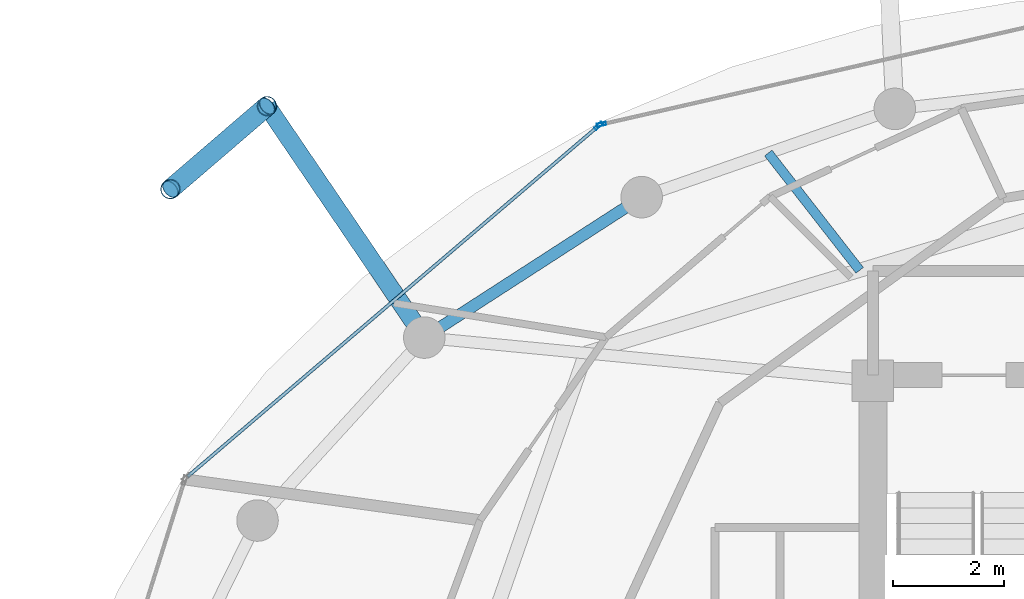
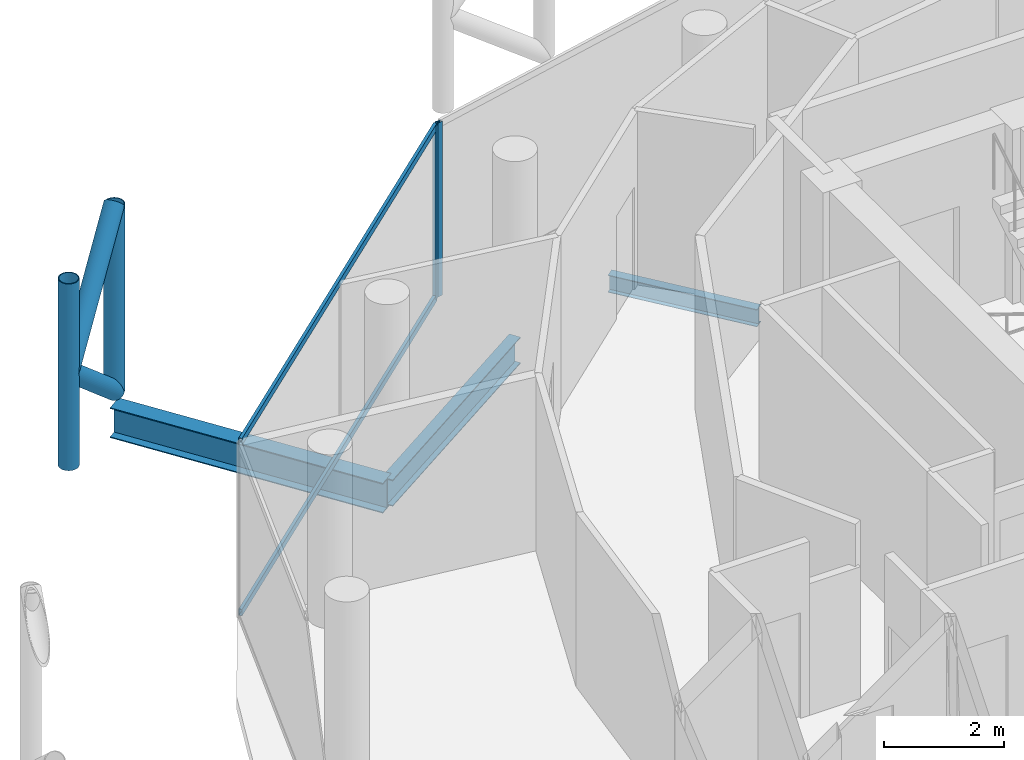
# One storey, part 15 of 24: 8 members, 3 beams, 2 elements without a shape of their own.
"""IFC4 building model written with IfcOpenShell, lengths in metres."""

import ifcopenshell
import ifcopenshell.guid

model = None  # the IFC model being written
_history = None  # IfcOwnerHistory: only IFC2X3 demands one
_inside = {}  # id of a spatial element -> (the spatial element, [elements in it])
_under = {}  # id of a project, library or spatial element -> (it, [spatial elements below it])
_declared = {}  # id of a project -> (the project, [libraries it declares])
_typed = {}  # id of a type object -> (the type object, [elements of that type])
_made_of = {}  # id of a material, layer set ... -> (it, [elements and type objects made of it])


def new_model(schema):
    """Start an empty IFC model of exactly this schema.

    Asked for "IFC4X3", IfcOpenShell would pick the latest addendum, in which some entities
    have other attributes; the version numbers below select the first issue.
    IFC2X3 requires an IfcOwnerHistory on every rooted entity: one is made here for all.
    """
    global model, _history
    if schema == "IFC4X3":
        model = ifcopenshell.file(schema_version=(4, 3, 0, 0))
    else:
        model = ifcopenshell.file(schema=schema)
    _inside.clear()
    _under.clear()
    _declared.clear()
    _typed.clear()
    _made_of.clear()
    _history = None
    if model.schema == "IFC2X3":
        org = make("IfcOrganization", Name="unknown")
        user = make(
            "IfcPersonAndOrganization",
            ThePerson=make("IfcPerson", FamilyName="unknown"),
            TheOrganization=org,
        )
        app = make(
            "IfcApplication",
            ApplicationDeveloper=org,
            Version="unknown",
            ApplicationFullName="unknown",
            ApplicationIdentifier="unknown",
        )
        _history = make(
            "IfcOwnerHistory",
            OwningUser=user,
            OwningApplication=app,
            ChangeAction="ADDED",
            CreationDate=0,
        )
    return model


def make(cls, **values):
    """One entity of the class cls with the attributes given. An attribute that is None is left unset."""
    return model.create_entity(
        cls, **{name: value for name, value in values.items() if value is not None}
    )


def rooted(cls, **values):
    """An entity with a GlobalId (a new one), such as an element, a storey or a relation."""
    return make(cls, GlobalId=ifcopenshell.guid.new(), OwnerHistory=_history, **values)


def si_unit(unit_type, name, prefix=None):
    """IfcSIUnit, for example si_unit("LENGTHUNIT", "METRE", prefix="MILLI")."""
    return make("IfcSIUnit", UnitType=unit_type, Prefix=prefix, Name=name)


def assignment(units):
    """IfcUnitAssignment: the units of a project."""
    return None if units is None else make("IfcUnitAssignment", Units=units)


def point(xyz):
    """IfcCartesianPoint."""
    return None if xyz is None else make("IfcCartesianPoint", Coordinates=xyz)


def direction(xyz):
    """IfcDirection."""
    return None if xyz is None else make("IfcDirection", DirectionRatios=xyz)


def frame(location, z_axis=None, x_axis=None):
    """IfcAxis2Placement3D, a coordinate frame: its origin and axes. An axis left out is left unset."""
    return make(
        "IfcAxis2Placement3D",
        Location=point(location),
        Axis=direction(z_axis),
        RefDirection=direction(x_axis),
    )


def frame_2d(location, x_axis=None):
    """IfcAxis2Placement2D, a coordinate frame in the plane: its origin and x axis."""
    return make(
        "IfcAxis2Placement2D", Location=point(location), RefDirection=direction(x_axis)
    )


def origin():
    """The frame at (0, 0, 0) with its axes left unset."""
    return frame((0.0, 0.0, 0.0))


def origin_2d():
    """The frame at (0, 0) in the plane with its x axis left unset."""
    return frame_2d((0.0, 0.0))


def place(relative_to, where):
    """IfcLocalPlacement: puts the frame where relative to a parent placement (None: the world)."""
    return make(
        "IfcLocalPlacement", PlacementRelTo=relative_to, RelativePlacement=where
    )


def context(
    kind, dimensions, precision=None, world=None, true_north=None, identifier=None
):
    """IfcGeometricRepresentationContext, for example the 3D "Model" context."""
    return make(
        "IfcGeometricRepresentationContext",
        ContextIdentifier=identifier,
        ContextType=kind,
        CoordinateSpaceDimension=dimensions,
        Precision=precision,
        WorldCoordinateSystem=world,
        TrueNorth=true_north,
    )


def subcontext(parent, identifier, kind, view, scale=None):
    """IfcGeometricRepresentationSubContext, for example "Body" below "Model"."""
    return make(
        "IfcGeometricRepresentationSubContext",
        ContextIdentifier=identifier,
        ContextType=kind,
        ParentContext=parent,
        TargetScale=scale,
        TargetView=view,
    )


def project(units=None, contexts=None):
    """IfcProject with its units and contexts."""
    return rooted(
        "IfcProject",
        Name="project",
        RepresentationContexts=contexts,
        UnitsInContext=assignment(units),
    )


def spatial(cls, under=None, at=None, **own):
    """A site, building, storey or space (cls), placed at a placement, below another one or the project."""
    s = rooted(cls, ObjectPlacement=at, **own)
    if under is not None:
        _under.setdefault(under.id(), (under, []))[1].append(s)
    return s


def profile(cls, at=None, kind="AREA", **sizes):
    """A parametric profile (cls). Its sizes go by their IFC names, for example OverallWidth=200.0."""
    return make(cls, ProfileType=kind, Position=at, **sizes)


def hollow_rectangle(**sizes):
    """IfcRectangleHollowProfileDef."""
    return profile("IfcRectangleHollowProfileDef", **sizes)


def hollow_circle(**sizes):
    """IfcCircleHollowProfileDef."""
    return profile("IfcCircleHollowProfileDef", **sizes)


def i_section(**sizes):
    """IfcIShapeProfileDef."""
    return profile("IfcIShapeProfileDef", **sizes)


def extrude(swept, where, along, depth):
    """IfcExtrudedAreaSolid: the profile swept, set in the frame where, extruded along a direction by depth."""
    return make(
        "IfcExtrudedAreaSolid",
        SweptArea=swept,
        Position=where,
        ExtrudedDirection=direction(along),
        Depth=depth,
    )


def shape(context_of_items, identifier, shape_type, items):
    """IfcShapeRepresentation: the items that make up one representation, for example the "Body"."""
    return make(
        "IfcShapeRepresentation",
        ContextOfItems=context_of_items,
        RepresentationIdentifier=identifier,
        RepresentationType=shape_type,
        Items=items,
    )


def material(Name=None, Category=None):
    """IfcMaterial."""
    return make("IfcMaterial", Name=Name, Category=Category)


def layer(
    of_material, thickness, ventilated=None, Name=None, Category=None, Priority=None
):
    """IfcMaterialLayer: one layer of a wall or slab, of a material (None: an air gap)."""
    return make(
        "IfcMaterialLayer",
        Material=of_material,
        LayerThickness=thickness,
        IsVentilated=ventilated,
        Name=Name,
        Category=Category,
        Priority=Priority,
    )


def layer_set(layers, Name=None):
    """IfcMaterialLayerSet."""
    return make("IfcMaterialLayerSet", MaterialLayers=layers, LayerSetName=Name)


def material_profile(
    of_material, cross_section, Name=None, Category=None, Priority=None
):
    """IfcMaterialProfile: a cross section and its material."""
    return make(
        "IfcMaterialProfile",
        Name=Name,
        Material=of_material,
        Profile=cross_section,
        Priority=Priority,
        Category=Category,
    )


def profile_set(profiles, Name=None, composite=None):
    """IfcMaterialProfileSet."""
    return make(
        "IfcMaterialProfileSet",
        Name=Name,
        MaterialProfiles=profiles,
        CompositeProfile=composite,
    )


def made_of(thing, what):
    """Note that an element or type object is made of a material, layer set ...; save() writes the relation."""
    if what is not None:
        _made_of.setdefault(what.id(), (what, []))[1].append(thing)
    return thing


def type_object(cls, material=None, **own):
    """A type object (cls), such as IfcWallType, which elements share."""
    return made_of(rooted(cls, **own), material)


def element(
    cls,
    number,
    at=None,
    inside=None,
    cuts=None,
    type_object=None,
    material=None,
    context=None,
    identifier="Body",
    shape_type=None,
    held_by="IfcProductDefinitionShape",
    body=None,
    shapes=None,
    **own,
):
    """One element of the class cls, such as IfcWall. Its Tag is "e" and its number.

    at: its placement. inside: the storey or other place that contains it. cuts: it is an
    opening in that element (IfcRelVoidsElement). A single representation is given by context,
    identifier, shape_type and body (its items); several are given by shapes. held_by: the class
    of the entity that holds the representations. save() writes the other relations.
    """
    e = rooted(cls, Tag="e%d" % number, ObjectPlacement=at, **own)
    if body is not None:
        shapes = [shape(context, identifier, shape_type, body)]
    if shapes is not None:
        e.Representation = make(held_by, Representations=shapes)
    if inside is not None:
        _inside.setdefault(inside.id(), (inside, []))[1].append(e)
    if cuts is not None:
        rooted(
            "IfcRelVoidsElement", RelatingBuildingElement=cuts, RelatedOpeningElement=e
        )
    if type_object is not None:
        _typed.setdefault(type_object.id(), (type_object, []))[1].append(e)
    return made_of(e, material)


def aggregate(whole, parts):
    """IfcRelAggregates: a whole, such as a stair, and the parts it consists of."""
    return rooted("IfcRelAggregates", RelatingObject=whole, RelatedObjects=parts)


def save(model, path):
    """Write the relations noted so far, then the file.

    IfcRelAggregates (storeys below a building ...), IfcRelContainedInSpatialStructure (elements
    in a storey), IfcRelDefinesByType, IfcRelAssociatesMaterial and IfcRelDeclares: one each for
    every whole, place, type object, material and project.
    """
    for whole, parts in _under.values():
        aggregate(whole, parts)
    for where, things in _inside.values():
        rooted(
            "IfcRelContainedInSpatialStructure",
            RelatedElements=things,
            RelatingStructure=where,
        )
    for kind, things in _typed.values():
        rooted("IfcRelDefinesByType", RelatedObjects=things, RelatingType=kind)
    for what, things in _made_of.values():
        rooted("IfcRelAssociatesMaterial", RelatedObjects=things, RelatingMaterial=what)
    for by, libraries in _declared.values():
        rooted("IfcRelDeclares", RelatingContext=by, RelatedDefinitions=libraries)
    model.write(path)


model = new_model("IFC4")

# Units and contexts
model_context = context("Model", 3, precision=1e-05, world=origin(), true_north=direction((0.0, 1.0)))
body_context = subcontext(model_context, "Body", "Model", "MODEL_VIEW")
ifc_project = project(units=[si_unit("LENGTHUNIT", "METRE"), si_unit("AREAUNIT", "SQUARE_METRE"), si_unit("VOLUMEUNIT", "CUBIC_METRE"), si_unit("PLANEANGLEUNIT", "RADIAN"), si_unit("MASSUNIT", "GRAM", prefix="KILO")], contexts=[model_context])

# Site, building, storey
site_placement = place(None, origin())
site = spatial("IfcSite", under=ifc_project, at=site_placement, CompositionType="ELEMENT")
building_placement = place(site_placement, origin())
building = spatial("IfcBuilding", under=site, at=building_placement, Name="Nuhasar Tower", CompositionType="ELEMENT")
storey_placement = place(building_placement, frame((0.0, 0.0, 267.0)))
storey = spatial("IfcBuildingStorey", under=building, at=storey_placement, Name="L66", CompositionType="ELEMENT", Elevation=267.0)

# Beams
ifc_material_1 = material(Name="Steel S355", Category="steel")
ifc_material_profile_1 = material_profile(ifc_material_1, i_section(OverallWidth=0.1708984375, OverallDepth=0.35205078125, WebThickness=0.0068359375, FlangeThickness=0.009765625, at=origin_2d()), Name="W14X30")
ifc_profile_set_1 = profile_set([ifc_material_profile_1], Name="Steel S355")
beam_type_1 = type_object("IfcBeamType", Name="BM-JST-W14X30", PredefinedType="JOIST", material=ifc_profile_set_1)
beam_1_placement = place(storey_placement, frame((33.4609375, 39.29296875, -0.43603515625), z_axis=(-0.614953767351, 0.788563164256, 0.0), x_axis=(-0.788563164256, -0.614953767351, 0.0)))
element("IfcBeam", 1, at=beam_1_placement, inside=storey, type_object=beam_type_1, Name="L66 Secondary Floor Joist 06", PredefinedType="JOIST", context=body_context, shape_type="SweptSolid", body=[
    extrude(i_section(OverallWidth=0.1708984375, OverallDepth=0.35205078125, WebThickness=0.0068359375, FlangeThickness=0.009765625, at=origin_2d()), origin(), (0.0, 0.0, 1.0), 2.6845703125),
])
ifc_material_profile_2 = material_profile(ifc_material_1, i_section(OverallWidth=0.2099609375, OverallDepth=0.537109375, WebThickness=0.010986328125, FlangeThickness=0.017333984375, at=origin_2d()), Name="W21X68")
ifc_profile_set_2 = profile_set([ifc_material_profile_2], Name="Steel S355")
beam_type_2 = type_object("IfcBeamType", Name="BM-RING-W21X68", PredefinedType="SPANDREL", material=ifc_profile_set_2)
beam_2_placement = place(storey_placement, frame((29.52490234375, 40.613037109375, -0.529052734375), z_axis=(-0.840001671147, -0.54258381147, 0.0), x_axis=(0.54258381147, -0.840001671147, 0.0)))
element("IfcBeam", 2, at=beam_2_placement, inside=storey, type_object=beam_type_2, Name="L66 Perimeter Ring Spandrel 09", PredefinedType="SPANDREL", context=body_context, shape_type="SweptSolid", body=[
    extrude(i_section(OverallWidth=0.2099609375, OverallDepth=0.537109375, WebThickness=0.010986328125, FlangeThickness=0.017333984375, at=origin_2d()), origin(), (0.0, 0.0, 1.0), 4.67236328125),
])
ifc_material_profile_3 = material_profile(ifc_material_1, i_section(OverallWidth=0.323974609375, OverallDepth=0.611083984375, WebThickness=0.0126953125, FlangeThickness=0.01904296875, at=origin_2d()), Name="W24X104")
ifc_profile_set_3 = profile_set([ifc_material_profile_3], Name="Steel S355")
beam_type_3 = type_object("IfcBeamType", Name="BM-TIE-W24X104", PredefinedType="BEAM", material=ifc_profile_set_3)
beam_3_placement = place(storey_placement, frame((25.60009765625, 38.077880859375, -0.56494140625), z_axis=(-0.562070792096, 0.827089127405, 0.0), x_axis=(-0.827089127405, -0.562070792096, 0.0)))
element("IfcBeam", 3, at=beam_3_placement, inside=storey, type_object=beam_type_3, Name="L66 Exoskeleton Node Tie Beam 05", PredefinedType="BEAM", context=body_context, shape_type="SweptSolid", body=[
    extrude(i_section(OverallWidth=0.323974609375, OverallDepth=0.611083984375, WebThickness=0.0126953125, FlangeThickness=0.01904296875, at=origin_2d()), origin(), (0.0, 0.0, 1.0), 5.052978515625),
])

# Curtain wall, member
ifc_material_2 = material(Name="Aluminium 6063-T6", Category="aluminium")
ifc_layer = layer(ifc_material_2, 0.18994140625)
ifc_layer_set = layer_set([ifc_layer], Name="Aluminium 6063-T6")
curtain_wall_type = type_object("IfcCurtainWallType", Name="CW-Z4-PEN", PredefinedType="NOTDEFINED", material=ifc_layer_set)
curtain_wall_1_placement = place(storey_placement, origin())
curtain_wall_1 = element("IfcCurtainWall", 4, at=curtain_wall_1_placement, inside=storey, type_object=curtain_wall_type, Name="L66 Unitised Curtain Wall 04", PredefinedType="NOTDEFINED")
ifc_material_profile_4 = material_profile(ifc_material_2, hollow_rectangle(XDim=0.06005859375, YDim=0.1650390625, WallThickness=0.0048828125, at=origin_2d()), Name="CWM-5")
ifc_profile_set_4 = profile_set([ifc_material_profile_4], Name="Aluminium 6063-T6")
member_type_1 = type_object("IfcMemberType", Name="CW-MUL-S5", PredefinedType="MULLION", material=ifc_profile_set_4)
member_1_placement = place(storey_placement, frame((28.79931640625, 41.927734375, 0.0), z_axis=(0.0, 0.0, 1.0), x_axis=(0.222889487645, -0.97484371891, 0.0)))
member_1 = element("IfcMember", 5, at=member_1_placement, type_object=member_type_1, Name="CW-Z4 mullion 2", PredefinedType="MULLION", context=body_context, shape_type="SweptSolid", body=[
    extrude(hollow_rectangle(XDim=0.06005859375, YDim=0.1650390625, WallThickness=0.0048828125, at=origin_2d()), origin(), (0.0, 0.0, 1.0), 3.5400390625),
])
aggregate(curtain_wall_1, [member_1])

# Curtain wall, members
curtain_wall_2_placement = place(storey_placement, origin())
curtain_wall_2 = element("IfcCurtainWall", 6, at=curtain_wall_2_placement, inside=storey, type_object=curtain_wall_type, Name="L66 Unitised Curtain Wall 05", PredefinedType="NOTDEFINED")
member_2_placement = place(storey_placement, frame((28.7470703125, 41.901611328125, 0.0), z_axis=(0.0, 0.0, 1.0), x_axis=(0.649141996205, -0.760667252327, 0.0)))
member_2 = element("IfcMember", 7, at=member_2_placement, type_object=member_type_1, Name="CW-Z4 mullion 1", PredefinedType="MULLION", context=body_context, shape_type="SweptSolid", body=[
    extrude(hollow_rectangle(XDim=0.06005859375, YDim=0.1650390625, WallThickness=0.0048828125, at=origin_2d()), origin(), (0.0, 0.0, 1.0), 3.5400390625),
])
ifc_material_profile_5 = material_profile(ifc_material_2, hollow_rectangle(XDim=0.06005859375, YDim=0.135009765625, WallThickness=0.00439453125, at=origin_2d()), Name="CWT-5")
ifc_profile_set_5 = profile_set([ifc_material_profile_5], Name="Aluminium 6063-T6")
member_type_2 = type_object("IfcMemberType", Name="CW-TRN-S5", PredefinedType="USERDEFINED", material=ifc_profile_set_5)
member_3_placement = place(storey_placement, frame((28.724365234375, 41.882080078125, 0.030029296875), z_axis=(-0.760660035709, -0.649150452573, 0.0), x_axis=(0.649150452573, -0.760660035709, 0.0)))
member_3 = element("IfcMember", 8, at=member_3_placement, type_object=member_type_2, Name="CW-Z4 transom 1.1", ObjectType="TRANSOM", PredefinedType="USERDEFINED", context=body_context, shape_type="SweptSolid", body=[
    extrude(hollow_rectangle(XDim=0.06005859375, YDim=0.135009765625, WallThickness=0.00439453125, at=origin_2d()), origin(), (0.0, 0.0, 1.0), 9.725341796875),
])
member_4_placement = place(storey_placement, frame((28.724365234375, 41.882080078125, 3.510009765625), z_axis=(-0.760660035709, -0.649150452573, 0.0), x_axis=(0.649150452573, -0.760660035709, 0.0)))
member_4 = element("IfcMember", 9, at=member_4_placement, type_object=member_type_2, Name="CW-Z4 transom 1.2", ObjectType="TRANSOM", PredefinedType="USERDEFINED", context=body_context, shape_type="SweptSolid", body=[
    extrude(hollow_rectangle(XDim=0.06005859375, YDim=0.135009765625, WallThickness=0.00439453125, at=origin_2d()), origin(), (0.0, 0.0, 1.0), 9.725341796875),
])
aggregate(curtain_wall_2, [member_2, member_3, member_4])

# Members
ifc_material_3 = material(Name="Steel S460", Category="steel")
ifc_material_profile_6 = material_profile(ifc_material_3, hollow_circle(Radius=0.177734375, WallThickness=0.015869140625, at=origin_2d()), Name="HSS355.6X15.9")
ifc_profile_set_6 = profile_set([ifc_material_profile_6], Name="Steel S460")
member_type_3 = type_object("IfcMemberType", Name="EXO-BRONZE-356", PredefinedType="BRACE", material=ifc_profile_set_6)
for number, where, z_axis, x_axis, name in (
    (10, (22.760009765625, 42.257080078125, 0.0), (0.0, 0.0, 1.0), (1.0, 0.0, 0.0), "L66 Exoskeleton Chord Column EC-05A"),
    (11, (21.01611328125, 40.758056640625, 0.0), (0.0, 0.0, 1.0), (1.0, 0.0, 0.0), "L66 Exoskeleton Chord Column EC-05B"),
):
    element("IfcMember", number, at=place(storey_placement, frame(where, z_axis=z_axis, x_axis=x_axis)), inside=storey, type_object=member_type_3, Name=name, PredefinedType="BRACE", context=body_context, shape_type="SweptSolid", body=[
        extrude(hollow_circle(Radius=0.177734375, WallThickness=0.015869140625, at=origin_2d()), origin(), (0.0, 0.0, 1.0), 3.800048828125),
    ])
member_5_placement = place(storey_placement, frame((22.760009765625, 42.257080078125, 0.0), z_axis=(-0.584625223306, -0.502533791278, 0.636924749792), x_axis=(0.65185738425, -0.758341579104, 0.0)))
element("IfcMember", 12, at=member_5_placement, inside=storey, type_object=member_type_3, Name="L66 Bronze Diagrid Brace W1-05", PredefinedType="BRACE", context=body_context, shape_type="SweptSolid", body=[
    extrude(hollow_circle(Radius=0.177734375, WallThickness=0.015869140625, at=origin_2d()), origin(), (0.0, 0.0, 1.0), 2.98291015625),
])
member_6_placement = place(storey_placement, frame((21.01611328125, 40.758056640625, 1.89990234375), z_axis=(0.584594747408, 0.50250759472, 0.636973389203), x_axis=(-0.65185738425, 0.758341579104, 0.0)))
element("IfcMember", 13, at=member_6_placement, inside=storey, type_object=member_type_3, Name="L66 Bronze Diagrid Brace W2-05", PredefinedType="BRACE", context=body_context, shape_type="SweptSolid", body=[
    extrude(hollow_circle(Radius=0.177734375, WallThickness=0.015869140625, at=origin_2d()), origin(), (0.0, 0.0, 1.0), 2.983154296875),
])

save(model, "model.ifc")
